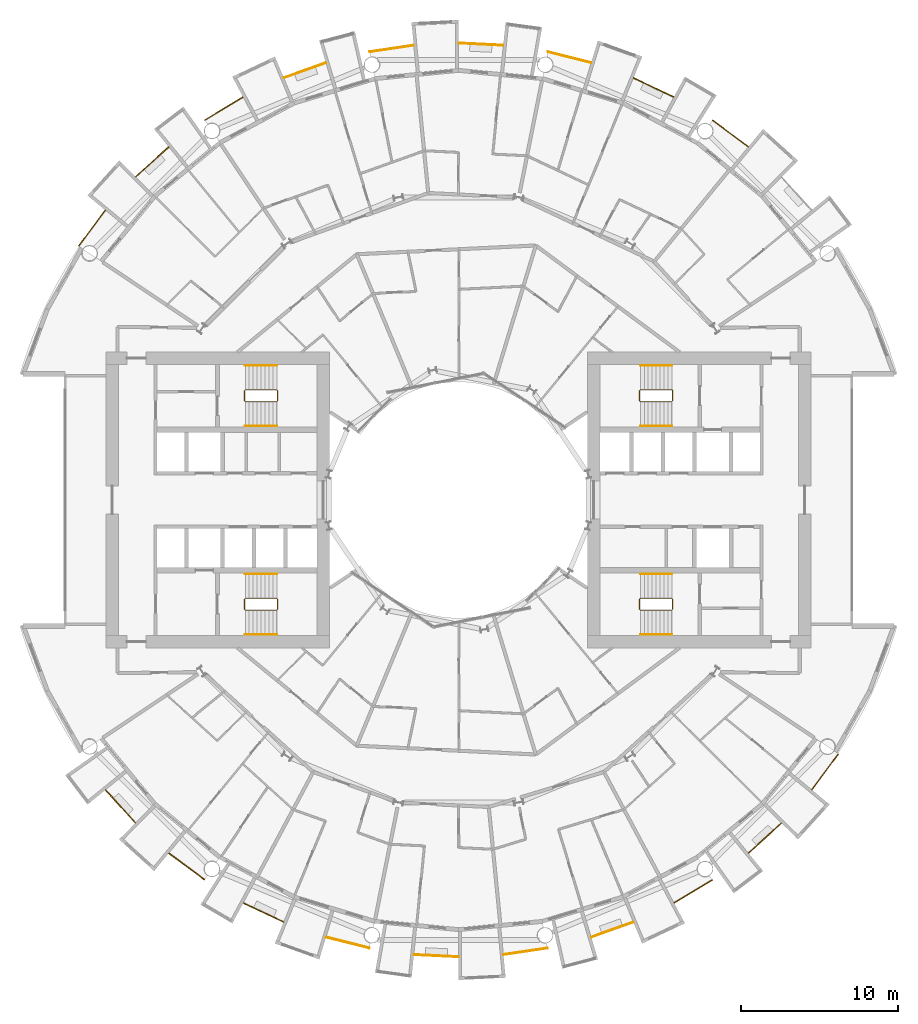
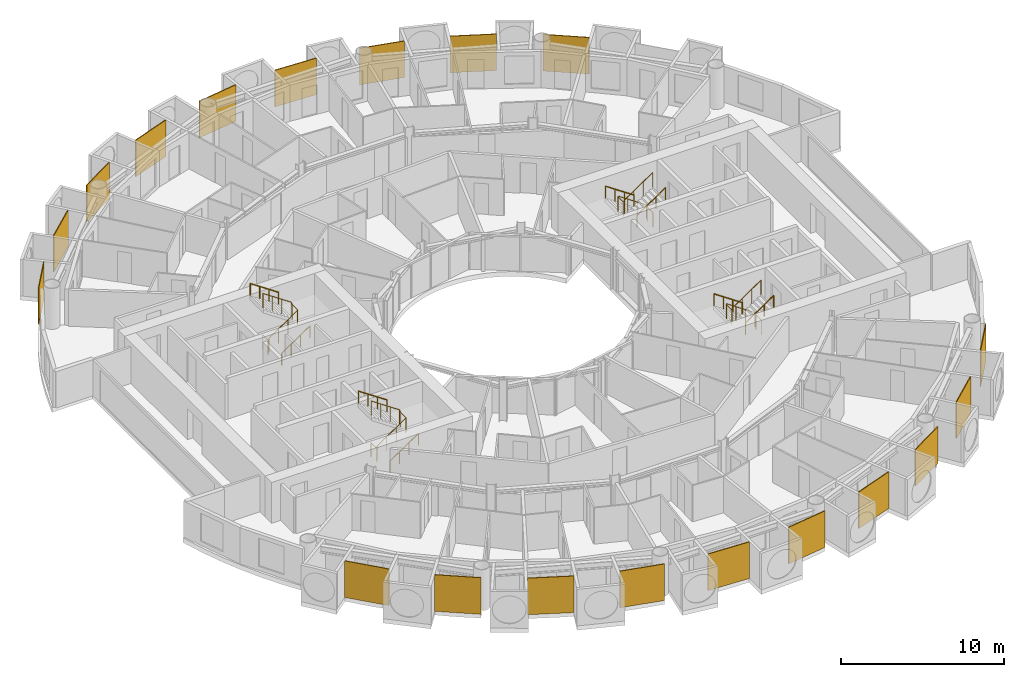
# One storey, part 25 of 26: 31 railings.
"""IFC4 building model written with IfcOpenShell, lengths in metres."""

from ifc_helpers import new_model, si_unit, direction, frame, origin, origin_2d, place, context, subcontext, project, spatial, polyline, circle, outline, extrude, material, layer, layer_set, type_object, element, save


model = new_model("IFC4")

# Units and contexts
model_context = context("Model", 3, precision=1e-05, world=origin(), true_north=direction((0.0, 1.0)))
body_context = subcontext(model_context, "Body", "Model", "MODEL_VIEW")
ifc_project = project(units=[si_unit("LENGTHUNIT", "METRE"), si_unit("AREAUNIT", "SQUARE_METRE"), si_unit("VOLUMEUNIT", "CUBIC_METRE"), si_unit("PLANEANGLEUNIT", "RADIAN"), si_unit("MASSUNIT", "GRAM", prefix="KILO")], contexts=[model_context])

# Site, building, storey
site_placement = place(None, origin())
site = spatial("IfcSite", under=ifc_project, at=site_placement, CompositionType="ELEMENT")
building_placement = place(site_placement, origin())
building = spatial("IfcBuilding", under=site, at=building_placement, Name="Maasbend Ring Residences", CompositionType="ELEMENT")
storey_placement = place(building_placement, frame((0.0, 0.0, 44.14990234375)))
storey = spatial("IfcBuildingStorey", under=building, at=storey_placement, Name="L12", CompositionType="ELEMENT", Elevation=44.14990234375)

# Railings
ifc_material_1 = material(Name="Pale anodised perforated aluminium", Category="aluminium")
ifc_layer = layer(ifc_material_1, 0.06005859375)
ifc_layer_set = layer_set([ifc_layer], Name="SCREEN-P")
railing_type_1 = type_object("IfcRailingType", Name="SCREEN-P", PredefinedType="GUARDRAIL", material=ifc_layer_set)
railing_1_placement = place(storey_placement, frame((0.0, 0.0, -0.02978515625)))
element("IfcRailing", 1, at=railing_1_placement, inside=storey, type_object=railing_type_1, Name="Perforated screen guard 2", PredefinedType="GUARDRAIL", context=body_context, shape_type="SweptSolid", body=[
    extrude(outline(polyline([(18.39697265625, 22.4169921875), (16.112060546875, 24.113037109375), (16.14697265625, 24.160888671875), (18.43310546875, 22.465087890625), (18.39697265625, 22.4169921875)])), origin(), (0.0, 0.0, 1.0), 2.72998046875),
])
railing_2_placement = place(storey_placement, frame((0.0, 0.0, -0.02978515625)))
element("IfcRailing", 2, at=railing_2_placement, inside=storey, type_object=railing_type_1, Name="Perforated screen guard 3", PredefinedType="GUARDRAIL", context=body_context, shape_type="SweptSolid", body=[
    extrude(outline(polyline([(13.6708984375, 25.575927734375), (11.097900390625, 26.79296875), (11.123046875, 26.846923828125), (13.696044921875, 25.6298828125), (13.6708984375, 25.575927734375)])), origin(), (0.0, 0.0, 1.0), 2.72998046875),
])
railing_3_placement = place(storey_placement, frame((0.0, 0.0, -0.02978515625)))
element("IfcRailing", 3, at=railing_3_placement, inside=storey, type_object=railing_type_1, Name="Perforated screen guard 4", PredefinedType="GUARDRAIL", context=body_context, shape_type="SweptSolid", body=[
    extrude(outline(polyline([(8.41796875, 27.7509765625), (5.657958984375, 28.443115234375), (5.672119140625, 28.5009765625), (8.43310546875, 27.80908203125), (8.41796875, 27.7509765625)])), origin(), (0.0, 0.0, 1.0), 2.72998046875),
])
railing_4_placement = place(storey_placement, frame((0.0, 0.0, -0.02978515625)))
element("IfcRailing", 4, at=railing_4_placement, inside=storey, type_object=railing_type_1, Name="Perforated screen guard 5", PredefinedType="GUARDRAIL", context=body_context, shape_type="SweptSolid", body=[
    extrude(outline(polyline([(2.842041015625, 28.860107421875), (0.0, 29.0), (0.0029296875, 29.06005859375), (2.844970703125, 28.919921875), (2.842041015625, 28.860107421875)])), origin(), (0.0, 0.0, 1.0), 2.72998046875),
])
railing_5_placement = place(storey_placement, frame((0.0, 0.0, -0.02978515625)))
element("IfcRailing", 5, at=railing_5_placement, inside=storey, type_object=railing_type_1, Name="Perforated screen guard 6", PredefinedType="GUARDRAIL", context=body_context, shape_type="SweptSolid", body=[
    extrude(outline(polyline([(-2.842041015625, 28.860107421875), (-5.657958984375, 28.443115234375), (-5.666015625, 28.501953125), (-2.85107421875, 28.919921875), (-2.842041015625, 28.860107421875)])), origin(), (0.0, 0.0, 1.0), 2.72998046875),
])
railing_6_placement = place(storey_placement, frame((0.0, 0.0, -0.02978515625)))
element("IfcRailing", 6, at=railing_6_placement, inside=storey, type_object=railing_type_1, Name="Perforated screen guard 7", PredefinedType="GUARDRAIL", context=body_context, shape_type="SweptSolid", body=[
    extrude(outline(polyline([(-8.41796875, 27.7509765625), (-11.097900390625, 26.79296875), (-11.117919921875, 26.84912109375), (-8.43798828125, 27.80810546875), (-8.41796875, 27.7509765625)])), origin(), (0.0, 0.0, 1.0), 2.72998046875),
])
railing_7_placement = place(storey_placement, frame((0.0, 0.0, -0.02978515625)))
element("IfcRailing", 7, at=railing_7_placement, inside=storey, type_object=railing_type_1, Name="Perforated screen guard 8", PredefinedType="GUARDRAIL", context=body_context, shape_type="SweptSolid", body=[
    extrude(outline(polyline([(-13.6708984375, 25.575927734375), (-16.112060546875, 24.113037109375), (-16.14208984375, 24.1640625), (-13.700927734375, 25.626953125), (-13.6708984375, 25.575927734375)])), origin(), (0.0, 0.0, 1.0), 2.72998046875),
])
railing_8_placement = place(storey_placement, frame((0.0, 0.0, -0.02978515625)))
element("IfcRailing", 8, at=railing_8_placement, inside=storey, type_object=railing_type_1, Name="Perforated screen guard 9", PredefinedType="GUARDRAIL", context=body_context, shape_type="SweptSolid", body=[
    extrude(outline(polyline([(-18.39697265625, 22.4169921875), (-20.506103515625, 20.506103515625), (-20.5458984375, 20.551025390625), (-18.43798828125, 22.4619140625), (-18.39697265625, 22.4169921875)])), origin(), (0.0, 0.0, 1.0), 2.72998046875),
])
railing_9_placement = place(storey_placement, frame((0.0, 0.0, -0.02978515625)))
element("IfcRailing", 9, at=railing_9_placement, inside=storey, type_object=railing_type_1, Name="Perforated screen guard 10", PredefinedType="GUARDRAIL", context=body_context, shape_type="SweptSolid", body=[
    extrude(outline(polyline([(-22.4169921875, 18.39697265625), (-24.113037109375, 16.112060546875), (-24.160888671875, 16.14697265625), (-22.465087890625, 18.43310546875), (-22.4169921875, 18.39697265625)])), origin(), (0.0, 0.0, 1.0), 2.72998046875),
])
railing_10_placement = place(storey_placement, frame((0.0, 0.0, -0.02978515625)))
element("IfcRailing", 10, at=railing_10_placement, inside=storey, type_object=railing_type_1, Name="Perforated screen guard 1", PredefinedType="GUARDRAIL", context=body_context, shape_type="SweptSolid", body=[
    extrude(outline(polyline([(-22.4169921875, -18.39697265625), (-20.506103515625, -20.506103515625), (-20.551025390625, -20.5458984375), (-22.4619140625, -18.43798828125), (-22.4169921875, -18.39697265625)])), origin(), (0.0, 0.0, 1.0), 2.72998046875),
])
railing_11_placement = place(storey_placement, frame((0.0, 0.0, -0.02978515625)))
element("IfcRailing", 11, at=railing_11_placement, inside=storey, type_object=railing_type_1, Name="Perforated screen guard 2", PredefinedType="GUARDRAIL", context=body_context, shape_type="SweptSolid", body=[
    extrude(outline(polyline([(-18.39697265625, -22.4169921875), (-16.112060546875, -24.113037109375), (-16.14697265625, -24.160888671875), (-18.43310546875, -22.465087890625), (-18.39697265625, -22.4169921875)])), origin(), (0.0, 0.0, 1.0), 2.72998046875),
])
railing_12_placement = place(storey_placement, frame((0.0, 0.0, -0.02978515625)))
element("IfcRailing", 12, at=railing_12_placement, inside=storey, type_object=railing_type_1, Name="Perforated screen guard 3", PredefinedType="GUARDRAIL", context=body_context, shape_type="SweptSolid", body=[
    extrude(outline(polyline([(-13.6708984375, -25.575927734375), (-11.097900390625, -26.79296875), (-11.123046875, -26.846923828125), (-13.696044921875, -25.6298828125), (-13.6708984375, -25.575927734375)])), origin(), (0.0, 0.0, 1.0), 2.72998046875),
])
railing_13_placement = place(storey_placement, frame((0.0, 0.0, -0.02978515625)))
element("IfcRailing", 13, at=railing_13_placement, inside=storey, type_object=railing_type_1, Name="Perforated screen guard 4", PredefinedType="GUARDRAIL", context=body_context, shape_type="SweptSolid", body=[
    extrude(outline(polyline([(-8.41796875, -27.7509765625), (-5.657958984375, -28.443115234375), (-5.672119140625, -28.5009765625), (-8.43310546875, -27.80908203125), (-8.41796875, -27.7509765625)])), origin(), (0.0, 0.0, 1.0), 2.72998046875),
])
railing_14_placement = place(storey_placement, frame((0.0, 0.0, -0.02978515625)))
element("IfcRailing", 14, at=railing_14_placement, inside=storey, type_object=railing_type_1, Name="Perforated screen guard 5", PredefinedType="GUARDRAIL", context=body_context, shape_type="SweptSolid", body=[
    extrude(outline(polyline([(-2.842041015625, -28.860107421875), (0.0, -29.0), (-0.0029296875, -29.06005859375), (-2.844970703125, -28.919921875), (-2.842041015625, -28.860107421875)])), origin(), (0.0, 0.0, 1.0), 2.72998046875),
])
railing_15_placement = place(storey_placement, frame((0.0, 0.0, -0.02978515625)))
element("IfcRailing", 15, at=railing_15_placement, inside=storey, type_object=railing_type_1, Name="Perforated screen guard 6", PredefinedType="GUARDRAIL", context=body_context, shape_type="SweptSolid", body=[
    extrude(outline(polyline([(2.842041015625, -28.860107421875), (5.657958984375, -28.443115234375), (5.666015625, -28.501953125), (2.85107421875, -28.919921875), (2.842041015625, -28.860107421875)])), origin(), (0.0, 0.0, 1.0), 2.72998046875),
])
railing_16_placement = place(storey_placement, frame((0.0, 0.0, -0.02978515625)))
element("IfcRailing", 16, at=railing_16_placement, inside=storey, type_object=railing_type_1, Name="Perforated screen guard 7", PredefinedType="GUARDRAIL", context=body_context, shape_type="SweptSolid", body=[
    extrude(outline(polyline([(8.41796875, -27.7509765625), (11.097900390625, -26.79296875), (11.117919921875, -26.84912109375), (8.43798828125, -27.80810546875), (8.41796875, -27.7509765625)])), origin(), (0.0, 0.0, 1.0), 2.72998046875),
])
railing_17_placement = place(storey_placement, frame((0.0, 0.0, -0.02978515625)))
element("IfcRailing", 17, at=railing_17_placement, inside=storey, type_object=railing_type_1, Name="Perforated screen guard 8", PredefinedType="GUARDRAIL", context=body_context, shape_type="SweptSolid", body=[
    extrude(outline(polyline([(13.6708984375, -25.575927734375), (16.112060546875, -24.113037109375), (16.14208984375, -24.1640625), (13.700927734375, -25.626953125), (13.6708984375, -25.575927734375)])), origin(), (0.0, 0.0, 1.0), 2.72998046875),
])
railing_18_placement = place(storey_placement, frame((0.0, 0.0, -0.02978515625)))
element("IfcRailing", 18, at=railing_18_placement, inside=storey, type_object=railing_type_1, Name="Perforated screen guard 9", PredefinedType="GUARDRAIL", context=body_context, shape_type="SweptSolid", body=[
    extrude(outline(polyline([(18.39697265625, -22.4169921875), (20.506103515625, -20.506103515625), (20.5458984375, -20.551025390625), (18.43798828125, -22.4619140625), (18.39697265625, -22.4169921875)])), origin(), (0.0, 0.0, 1.0), 2.72998046875),
])
railing_19_placement = place(storey_placement, frame((0.0, 0.0, -0.02978515625)))
element("IfcRailing", 19, at=railing_19_placement, inside=storey, type_object=railing_type_1, Name="Perforated screen guard 10", PredefinedType="GUARDRAIL", context=body_context, shape_type="SweptSolid", body=[
    extrude(outline(polyline([(22.4169921875, -18.39697265625), (24.113037109375, -16.112060546875), (24.160888671875, -16.14697265625), (22.465087890625, -18.43310546875), (22.4169921875, -18.39697265625)])), origin(), (0.0, 0.0, 1.0), 2.72998046875),
])
ifc_material_2 = material(Name="Stainless steel 316", Category="steel")
railing_type_2 = type_object("IfcRailingType", Name="STAIR GUARD 1100", PredefinedType="GUARDRAIL", material=ifc_material_2)
railing_20_placement = place(storey_placement, frame((13.60009765625, 6.300048828125, 0.0)))
element("IfcRailing", 20, at=railing_20_placement, inside=storey, type_object=railing_type_2, Name="L12 ST-E1 stair guard 1", PredefinedType="GUARDRAIL", context=body_context, shape_type="SweptSolid", body=[
    extrude(circle(Radius=0.02392578125, at=origin_2d()), frame((0.0, 0.0, 1.076171875), z_axis=(0.0, 1.0, 0.0), x_axis=(-1.0, 0.0, 0.0)), (0.0, 0.0, 1.0), 0.64990234375),
    extrude(circle(Radius=0.02392578125, at=origin_2d()), frame((0.0, 0.64990234375, 1.076171875), z_axis=(-0.272562526181, 0.272562526181, 0.92272386912), x_axis=(-0.707106781187, -0.707106781187, 0.0)), (0.0, 0.0, 1.0), 0.18359375),
    extrude(circle(Radius=0.02392578125, at=origin_2d()), frame((-0.050048828125, 0.699951171875, 1.24560546875), z_axis=(-0.827750655447, 0.0, 0.561096116906), x_axis=(0.0, -1.0, 0.0)), (0.0, 0.0, 1.0), 2.416259765625),
    extrude(circle(Radius=0.02392578125, at=origin_2d()), frame((-2.050048828125, 0.699951171875, 2.60107421875), z_axis=(-0.707106781187, -0.707106781187, 0.0), x_axis=(0.707106781187, -0.707106781187, 0.0)), (0.0, 0.0, 1.0), 0.07080078125),
    extrude(circle(Radius=0.02392578125, at=origin_2d()), frame((-2.10009765625, 0.64990234375, 2.60107421875), z_axis=(0.0, -1.0, 0.0), x_axis=(1.0, 0.0, 0.0)), (0.0, 0.0, 1.0), 0.64990234375),
    extrude(circle(Radius=0.02392578125, at=origin_2d()), frame((-2.10009765625, 0.0, 2.60107421875), z_axis=(0.272562526181, -0.272562526181, 0.92272386912), x_axis=(0.707106781187, 0.707106781187, 0.0)), (0.0, 0.0, 1.0), 0.18359375),
    extrude(circle(Radius=0.02392578125, at=origin_2d()), frame((-2.050048828125, -0.050048828125, 2.7705078125), z_axis=(0.827797584762, 0.0, 0.561026878735), x_axis=(0.0, 1.0, 0.0)), (0.0, 0.0, 1.0), 2.416015625),
    extrude(circle(Radius=0.02099609375, at=origin_2d()), origin(), (0.0, 0.0, 1.0), 1.052001953125),
    extrude(circle(Radius=0.02099609375, at=origin_2d()), frame((0.0, 0.64990234375, 0.0)), (0.0, 0.0, 1.0), 1.052001953125),
    extrude(circle(Radius=0.02099609375, at=origin_2d()), frame((-0.050048828125, 0.699951171875, 0.16943359375)), (0.0, 0.0, 1.0), 1.052001953125),
    extrude(circle(Radius=0.02099609375, at=origin_2d()), frame((-0.716796875, 0.699951171875, 0.621337890625)), (0.0, 0.0, 1.0), 1.052001953125),
    extrude(circle(Radius=0.02099609375, at=origin_2d()), frame((-1.38330078125, 0.699951171875, 1.0732421875)), (0.0, 0.0, 1.0), 1.052001953125),
    extrude(circle(Radius=0.02099609375, at=origin_2d()), frame((-2.050048828125, 0.699951171875, 1.525146484375)), (0.0, 0.0, 1.0), 1.052001953125),
    extrude(circle(Radius=0.02099609375, at=origin_2d()), frame((-2.10009765625, 0.64990234375, 1.525146484375)), (0.0, 0.0, 1.0), 1.052001953125),
    extrude(circle(Radius=0.02099609375, at=origin_2d()), frame((-2.10009765625, 0.0, 1.525146484375)), (0.0, 0.0, 1.0), 1.052001953125),
    extrude(circle(Radius=0.02099609375, at=origin_2d()), frame((-2.050048828125, -0.050048828125, 1.694580078125)), (0.0, 0.0, 1.0), 1.052001953125),
    extrude(circle(Radius=0.02099609375, at=origin_2d()), frame((-1.38330078125, -0.050048828125, 2.146484375)), (0.0, 0.0, 1.0), 1.052001953125),
    extrude(circle(Radius=0.02099609375, at=origin_2d()), frame((-0.716796875, -0.050048828125, 2.59814453125)), (0.0, 0.0, 1.0), 1.052001953125),
    extrude(circle(Radius=0.02099609375, at=origin_2d()), frame((-0.050048828125, -0.050048828125, 3.050048828125)), (0.0, 0.0, 1.0), 1.052001953125),
])
railing_21_placement = place(storey_placement, frame((13.60009765625, -6.949951171875, 0.0)))
element("IfcRailing", 21, at=railing_21_placement, inside=storey, type_object=railing_type_2, Name="L12 ST-E2 stair guard 1", PredefinedType="GUARDRAIL", context=body_context, shape_type="SweptSolid", body=[
    extrude(circle(Radius=0.02392578125, at=origin_2d()), frame((0.0, 0.0, 1.076171875), z_axis=(0.0, 1.0, 0.0), x_axis=(-1.0, 0.0, 0.0)), (0.0, 0.0, 1.0), 0.64990234375),
    extrude(circle(Radius=0.02392578125, at=origin_2d()), frame((0.0, 0.64990234375, 1.076171875), z_axis=(-0.272562526181, 0.272562526181, 0.92272386912), x_axis=(-0.707106781187, -0.707106781187, 0.0)), (0.0, 0.0, 1.0), 0.18359375),
    extrude(circle(Radius=0.02392578125, at=origin_2d()), frame((-0.050048828125, 0.699951171875, 1.24560546875), z_axis=(-0.827750655447, 0.0, 0.561096116906), x_axis=(0.0, -1.0, 0.0)), (0.0, 0.0, 1.0), 2.416259765625),
    extrude(circle(Radius=0.02392578125, at=origin_2d()), frame((-2.050048828125, 0.699951171875, 2.60107421875), z_axis=(-0.707106781187, -0.707106781187, 0.0), x_axis=(0.707106781187, -0.707106781187, 0.0)), (0.0, 0.0, 1.0), 0.07080078125),
    extrude(circle(Radius=0.02392578125, at=origin_2d()), frame((-2.10009765625, 0.64990234375, 2.60107421875), z_axis=(0.0, -1.0, 0.0), x_axis=(1.0, 0.0, 0.0)), (0.0, 0.0, 1.0), 0.64990234375),
    extrude(circle(Radius=0.02392578125, at=origin_2d()), frame((-2.10009765625, 0.0, 2.60107421875), z_axis=(0.272562526181, -0.272562526181, 0.92272386912), x_axis=(0.707106781187, 0.707106781187, 0.0)), (0.0, 0.0, 1.0), 0.18359375),
    extrude(circle(Radius=0.02392578125, at=origin_2d()), frame((-2.050048828125, -0.050048828125, 2.7705078125), z_axis=(0.827797584762, 0.0, 0.561026878735), x_axis=(0.0, 1.0, 0.0)), (0.0, 0.0, 1.0), 2.416015625),
    extrude(circle(Radius=0.02099609375, at=origin_2d()), origin(), (0.0, 0.0, 1.0), 1.052001953125),
    extrude(circle(Radius=0.02099609375, at=origin_2d()), frame((0.0, 0.64990234375, 0.0)), (0.0, 0.0, 1.0), 1.052001953125),
    extrude(circle(Radius=0.02099609375, at=origin_2d()), frame((-0.050048828125, 0.699951171875, 0.16943359375)), (0.0, 0.0, 1.0), 1.052001953125),
    extrude(circle(Radius=0.02099609375, at=origin_2d()), frame((-0.716796875, 0.699951171875, 0.621337890625)), (0.0, 0.0, 1.0), 1.052001953125),
    extrude(circle(Radius=0.02099609375, at=origin_2d()), frame((-1.38330078125, 0.699951171875, 1.0732421875)), (0.0, 0.0, 1.0), 1.052001953125),
    extrude(circle(Radius=0.02099609375, at=origin_2d()), frame((-2.050048828125, 0.699951171875, 1.525146484375)), (0.0, 0.0, 1.0), 1.052001953125),
    extrude(circle(Radius=0.02099609375, at=origin_2d()), frame((-2.10009765625, 0.64990234375, 1.525146484375)), (0.0, 0.0, 1.0), 1.052001953125),
    extrude(circle(Radius=0.02099609375, at=origin_2d()), frame((-2.10009765625, 0.0, 1.525146484375)), (0.0, 0.0, 1.0), 1.052001953125),
    extrude(circle(Radius=0.02099609375, at=origin_2d()), frame((-2.050048828125, -0.050048828125, 1.694580078125)), (0.0, 0.0, 1.0), 1.052001953125),
    extrude(circle(Radius=0.02099609375, at=origin_2d()), frame((-1.38330078125, -0.050048828125, 2.146484375)), (0.0, 0.0, 1.0), 1.052001953125),
    extrude(circle(Radius=0.02099609375, at=origin_2d()), frame((-0.716796875, -0.050048828125, 2.59814453125)), (0.0, 0.0, 1.0), 1.052001953125),
    extrude(circle(Radius=0.02099609375, at=origin_2d()), frame((-0.050048828125, -0.050048828125, 3.050048828125)), (0.0, 0.0, 1.0), 1.052001953125),
])
railing_22_placement = place(storey_placement, frame((-13.60009765625, -6.300048828125, 0.0)))
element("IfcRailing", 22, at=railing_22_placement, inside=storey, type_object=railing_type_2, Name="L12 ST-W1 stair guard 1", PredefinedType="GUARDRAIL", context=body_context, shape_type="SweptSolid", body=[
    extrude(circle(Radius=0.02392578125, at=origin_2d()), frame((0.0, 0.0, 1.076171875), z_axis=(0.0, -1.0, 0.0), x_axis=(1.0, 0.0, 0.0)), (0.0, 0.0, 1.0), 0.64990234375),
    extrude(circle(Radius=0.02392578125, at=origin_2d()), frame((0.0, -0.64990234375, 1.076171875), z_axis=(0.272562526181, -0.272562526181, 0.92272386912), x_axis=(0.707106781187, 0.707106781187, 0.0)), (0.0, 0.0, 1.0), 0.18359375),
    extrude(circle(Radius=0.02392578125, at=origin_2d()), frame((0.050048828125, -0.699951171875, 1.24560546875), z_axis=(0.827750655447, 0.0, 0.561096116906), x_axis=(0.0, 1.0, 0.0)), (0.0, 0.0, 1.0), 2.416259765625),
    extrude(circle(Radius=0.02392578125, at=origin_2d()), frame((2.050048828125, -0.699951171875, 2.60107421875), z_axis=(0.707106781187, 0.707106781187, 0.0), x_axis=(-0.707106781187, 0.707106781187, 0.0)), (0.0, 0.0, 1.0), 0.07080078125),
    extrude(circle(Radius=0.02392578125, at=origin_2d()), frame((2.10009765625, -0.64990234375, 2.60107421875), z_axis=(0.0, 1.0, 0.0), x_axis=(-1.0, 0.0, 0.0)), (0.0, 0.0, 1.0), 0.64990234375),
    extrude(circle(Radius=0.02392578125, at=origin_2d()), frame((2.10009765625, 0.0, 2.60107421875), z_axis=(-0.272562526181, 0.272562526181, 0.92272386912), x_axis=(-0.707106781187, -0.707106781187, 0.0)), (0.0, 0.0, 1.0), 0.18359375),
    extrude(circle(Radius=0.02392578125, at=origin_2d()), frame((2.050048828125, 0.050048828125, 2.7705078125), z_axis=(-0.827797584762, 0.0, 0.561026878735), x_axis=(0.0, -1.0, 0.0)), (0.0, 0.0, 1.0), 2.416015625),
    extrude(circle(Radius=0.02099609375, at=origin_2d()), origin(), (0.0, 0.0, 1.0), 1.052001953125),
    extrude(circle(Radius=0.02099609375, at=origin_2d()), frame((0.0, -0.64990234375, 0.0)), (0.0, 0.0, 1.0), 1.052001953125),
    extrude(circle(Radius=0.02099609375, at=origin_2d()), frame((0.050048828125, -0.699951171875, 0.16943359375)), (0.0, 0.0, 1.0), 1.052001953125),
    extrude(circle(Radius=0.02099609375, at=origin_2d()), frame((0.716796875, -0.699951171875, 0.621337890625)), (0.0, 0.0, 1.0), 1.052001953125),
    extrude(circle(Radius=0.02099609375, at=origin_2d()), frame((1.38330078125, -0.699951171875, 1.0732421875)), (0.0, 0.0, 1.0), 1.052001953125),
    extrude(circle(Radius=0.02099609375, at=origin_2d()), frame((2.050048828125, -0.699951171875, 1.525146484375)), (0.0, 0.0, 1.0), 1.052001953125),
    extrude(circle(Radius=0.02099609375, at=origin_2d()), frame((2.10009765625, -0.64990234375, 1.525146484375)), (0.0, 0.0, 1.0), 1.052001953125),
    extrude(circle(Radius=0.02099609375, at=origin_2d()), frame((2.10009765625, 0.0, 1.525146484375)), (0.0, 0.0, 1.0), 1.052001953125),
    extrude(circle(Radius=0.02099609375, at=origin_2d()), frame((2.050048828125, 0.050048828125, 1.694580078125)), (0.0, 0.0, 1.0), 1.052001953125),
    extrude(circle(Radius=0.02099609375, at=origin_2d()), frame((1.38330078125, 0.050048828125, 2.146484375)), (0.0, 0.0, 1.0), 1.052001953125),
    extrude(circle(Radius=0.02099609375, at=origin_2d()), frame((0.716796875, 0.050048828125, 2.59814453125)), (0.0, 0.0, 1.0), 1.052001953125),
    extrude(circle(Radius=0.02099609375, at=origin_2d()), frame((0.050048828125, 0.050048828125, 3.050048828125)), (0.0, 0.0, 1.0), 1.052001953125),
])
railing_23_placement = place(storey_placement, frame((-13.60009765625, 6.949951171875, 0.0)))
element("IfcRailing", 23, at=railing_23_placement, inside=storey, type_object=railing_type_2, Name="L12 ST-W2 stair guard 1", PredefinedType="GUARDRAIL", context=body_context, shape_type="SweptSolid", body=[
    extrude(circle(Radius=0.02392578125, at=origin_2d()), frame((0.0, 0.0, 1.076171875), z_axis=(0.0, -1.0, 0.0), x_axis=(1.0, 0.0, 0.0)), (0.0, 0.0, 1.0), 0.64990234375),
    extrude(circle(Radius=0.02392578125, at=origin_2d()), frame((0.0, -0.64990234375, 1.076171875), z_axis=(0.272562526181, -0.272562526181, 0.92272386912), x_axis=(0.707106781187, 0.707106781187, 0.0)), (0.0, 0.0, 1.0), 0.18359375),
    extrude(circle(Radius=0.02392578125, at=origin_2d()), frame((0.050048828125, -0.699951171875, 1.24560546875), z_axis=(0.827750655447, 0.0, 0.561096116906), x_axis=(0.0, 1.0, 0.0)), (0.0, 0.0, 1.0), 2.416259765625),
    extrude(circle(Radius=0.02392578125, at=origin_2d()), frame((2.050048828125, -0.699951171875, 2.60107421875), z_axis=(0.707106781187, 0.707106781187, 0.0), x_axis=(-0.707106781187, 0.707106781187, 0.0)), (0.0, 0.0, 1.0), 0.07080078125),
    extrude(circle(Radius=0.02392578125, at=origin_2d()), frame((2.10009765625, -0.64990234375, 2.60107421875), z_axis=(0.0, 1.0, 0.0), x_axis=(-1.0, 0.0, 0.0)), (0.0, 0.0, 1.0), 0.64990234375),
    extrude(circle(Radius=0.02392578125, at=origin_2d()), frame((2.10009765625, 0.0, 2.60107421875), z_axis=(-0.272562526181, 0.272562526181, 0.92272386912), x_axis=(-0.707106781187, -0.707106781187, 0.0)), (0.0, 0.0, 1.0), 0.18359375),
    extrude(circle(Radius=0.02392578125, at=origin_2d()), frame((2.050048828125, 0.050048828125, 2.7705078125), z_axis=(-0.827797584762, 0.0, 0.561026878735), x_axis=(0.0, -1.0, 0.0)), (0.0, 0.0, 1.0), 2.416015625),
    extrude(circle(Radius=0.02099609375, at=origin_2d()), origin(), (0.0, 0.0, 1.0), 1.052001953125),
    extrude(circle(Radius=0.02099609375, at=origin_2d()), frame((0.0, -0.64990234375, 0.0)), (0.0, 0.0, 1.0), 1.052001953125),
    extrude(circle(Radius=0.02099609375, at=origin_2d()), frame((0.050048828125, -0.699951171875, 0.16943359375)), (0.0, 0.0, 1.0), 1.052001953125),
    extrude(circle(Radius=0.02099609375, at=origin_2d()), frame((0.716796875, -0.699951171875, 0.621337890625)), (0.0, 0.0, 1.0), 1.052001953125),
    extrude(circle(Radius=0.02099609375, at=origin_2d()), frame((1.38330078125, -0.699951171875, 1.0732421875)), (0.0, 0.0, 1.0), 1.052001953125),
    extrude(circle(Radius=0.02099609375, at=origin_2d()), frame((2.050048828125, -0.699951171875, 1.525146484375)), (0.0, 0.0, 1.0), 1.052001953125),
    extrude(circle(Radius=0.02099609375, at=origin_2d()), frame((2.10009765625, -0.64990234375, 1.525146484375)), (0.0, 0.0, 1.0), 1.052001953125),
    extrude(circle(Radius=0.02099609375, at=origin_2d()), frame((2.10009765625, 0.0, 1.525146484375)), (0.0, 0.0, 1.0), 1.052001953125),
    extrude(circle(Radius=0.02099609375, at=origin_2d()), frame((2.050048828125, 0.050048828125, 1.694580078125)), (0.0, 0.0, 1.0), 1.052001953125),
    extrude(circle(Radius=0.02099609375, at=origin_2d()), frame((1.38330078125, 0.050048828125, 2.146484375)), (0.0, 0.0, 1.0), 1.052001953125),
    extrude(circle(Radius=0.02099609375, at=origin_2d()), frame((0.716796875, 0.050048828125, 2.59814453125)), (0.0, 0.0, 1.0), 1.052001953125),
    extrude(circle(Radius=0.02099609375, at=origin_2d()), frame((0.050048828125, 0.050048828125, 3.050048828125)), (0.0, 0.0, 1.0), 1.052001953125),
])
ifc_material_3 = material(Name="Stainless steel 316", Category="steel")
railing_type_3 = type_object("IfcRailingType", Name="STAIR HANDRAIL 900", PredefinedType="HANDRAIL", material=ifc_material_3)
railing_24_placement = place(storey_placement, frame((13.550048828125, 8.550048828125, 0.16943359375)))
element("IfcRailing", 24, at=railing_24_placement, inside=storey, type_object=railing_type_3, Name="L12 ST-E1 stair handrail 1", PredefinedType="HANDRAIL", context=body_context, shape_type="SweptSolid", body=[
    extrude(circle(Radius=0.02392578125, at=origin_2d()), frame((0.0, 0.0, 0.8759765625), z_axis=(-0.827750655447, 0.0, 0.561096116906), x_axis=(0.0, -1.0, 0.0)), (0.0, 0.0, 1.0), 2.416259765625),
    extrude(circle(Radius=0.02099609375, at=origin_2d()), origin(), (0.0, 0.0, 1.0), 0.851806640625),
    extrude(circle(Radius=0.02099609375, at=origin_2d()), frame((-0.666748046875, 0.0, 0.451904296875)), (0.0, 0.0, 1.0), 0.851806640625),
    extrude(circle(Radius=0.02099609375, at=origin_2d()), frame((-1.333251953125, 0.0, 0.90380859375)), (0.0, 0.0, 1.0), 0.851806640625),
    extrude(circle(Radius=0.02099609375, at=origin_2d()), frame((-2.0, 0.0, 1.355712890625)), (0.0, 0.0, 1.0), 0.851806640625),
])
railing_25_placement = place(storey_placement, frame((11.550048828125, 4.699951171875, 1.694580078125)))
element("IfcRailing", 25, at=railing_25_placement, inside=storey, type_object=railing_type_3, Name="L12 ST-E1 stair handrail 2", PredefinedType="HANDRAIL", context=body_context, shape_type="SweptSolid", body=[
    extrude(circle(Radius=0.02392578125, at=origin_2d()), frame((0.0, 0.0, 0.8759765625), z_axis=(0.827797584762, 0.0, 0.561026878735), x_axis=(0.0, 1.0, 0.0)), (0.0, 0.0, 1.0), 2.416015625),
    extrude(circle(Radius=0.02099609375, at=origin_2d()), origin(), (0.0, 0.0, 1.0), 0.851806640625),
    extrude(circle(Radius=0.02099609375, at=origin_2d()), frame((0.666748046875, 0.0, 0.451904296875)), (0.0, 0.0, 1.0), 0.851806640625),
    extrude(circle(Radius=0.02099609375, at=origin_2d()), frame((1.333251953125, 0.0, 0.903564453125)), (0.0, 0.0, 1.0), 0.851806640625),
    extrude(circle(Radius=0.02099609375, at=origin_2d()), frame((2.0, 0.0, 1.35546875)), (0.0, 0.0, 1.0), 0.851806640625),
])
railing_26_placement = place(storey_placement, frame((13.550048828125, -4.699951171875, 0.16943359375)))
element("IfcRailing", 26, at=railing_26_placement, inside=storey, type_object=railing_type_3, Name="L12 ST-E2 stair handrail 1", PredefinedType="HANDRAIL", context=body_context, shape_type="SweptSolid", body=[
    extrude(circle(Radius=0.02392578125, at=origin_2d()), frame((0.0, 0.0, 0.8759765625), z_axis=(-0.827750655447, 0.0, 0.561096116906), x_axis=(0.0, -1.0, 0.0)), (0.0, 0.0, 1.0), 2.416259765625),
    extrude(circle(Radius=0.02099609375, at=origin_2d()), origin(), (0.0, 0.0, 1.0), 0.851806640625),
    extrude(circle(Radius=0.02099609375, at=origin_2d()), frame((-0.666748046875, 0.0, 0.451904296875)), (0.0, 0.0, 1.0), 0.851806640625),
    extrude(circle(Radius=0.02099609375, at=origin_2d()), frame((-1.333251953125, 0.0, 0.90380859375)), (0.0, 0.0, 1.0), 0.851806640625),
    extrude(circle(Radius=0.02099609375, at=origin_2d()), frame((-2.0, 0.0, 1.355712890625)), (0.0, 0.0, 1.0), 0.851806640625),
])
railing_27_placement = place(storey_placement, frame((11.550048828125, -8.550048828125, 1.694580078125)))
element("IfcRailing", 27, at=railing_27_placement, inside=storey, type_object=railing_type_3, Name="L12 ST-E2 stair handrail 2", PredefinedType="HANDRAIL", context=body_context, shape_type="SweptSolid", body=[
    extrude(circle(Radius=0.02392578125, at=origin_2d()), frame((0.0, 0.0, 0.8759765625), z_axis=(0.827797584762, 0.0, 0.561026878735), x_axis=(0.0, 1.0, 0.0)), (0.0, 0.0, 1.0), 2.416015625),
    extrude(circle(Radius=0.02099609375, at=origin_2d()), origin(), (0.0, 0.0, 1.0), 0.851806640625),
    extrude(circle(Radius=0.02099609375, at=origin_2d()), frame((0.666748046875, 0.0, 0.451904296875)), (0.0, 0.0, 1.0), 0.851806640625),
    extrude(circle(Radius=0.02099609375, at=origin_2d()), frame((1.333251953125, 0.0, 0.903564453125)), (0.0, 0.0, 1.0), 0.851806640625),
    extrude(circle(Radius=0.02099609375, at=origin_2d()), frame((2.0, 0.0, 1.35546875)), (0.0, 0.0, 1.0), 0.851806640625),
])
railing_28_placement = place(storey_placement, frame((-13.550048828125, -8.550048828125, 0.16943359375)))
element("IfcRailing", 28, at=railing_28_placement, inside=storey, type_object=railing_type_3, Name="L12 ST-W1 stair handrail 1", PredefinedType="HANDRAIL", context=body_context, shape_type="SweptSolid", body=[
    extrude(circle(Radius=0.02392578125, at=origin_2d()), frame((0.0, 0.0, 0.8759765625), z_axis=(0.827750655447, 0.0, 0.561096116906), x_axis=(0.0, 1.0, 0.0)), (0.0, 0.0, 1.0), 2.416259765625),
    extrude(circle(Radius=0.02099609375, at=origin_2d()), origin(), (0.0, 0.0, 1.0), 0.851806640625),
    extrude(circle(Radius=0.02099609375, at=origin_2d()), frame((0.666748046875, 0.0, 0.451904296875)), (0.0, 0.0, 1.0), 0.851806640625),
    extrude(circle(Radius=0.02099609375, at=origin_2d()), frame((1.333251953125, 0.0, 0.90380859375)), (0.0, 0.0, 1.0), 0.851806640625),
    extrude(circle(Radius=0.02099609375, at=origin_2d()), frame((2.0, 0.0, 1.355712890625)), (0.0, 0.0, 1.0), 0.851806640625),
])
railing_29_placement = place(storey_placement, frame((-11.550048828125, -4.699951171875, 1.694580078125)))
element("IfcRailing", 29, at=railing_29_placement, inside=storey, type_object=railing_type_3, Name="L12 ST-W1 stair handrail 2", PredefinedType="HANDRAIL", context=body_context, shape_type="SweptSolid", body=[
    extrude(circle(Radius=0.02392578125, at=origin_2d()), frame((0.0, 0.0, 0.8759765625), z_axis=(-0.827797584762, 0.0, 0.561026878735), x_axis=(0.0, -1.0, 0.0)), (0.0, 0.0, 1.0), 2.416015625),
    extrude(circle(Radius=0.02099609375, at=origin_2d()), origin(), (0.0, 0.0, 1.0), 0.851806640625),
    extrude(circle(Radius=0.02099609375, at=origin_2d()), frame((-0.666748046875, 0.0, 0.451904296875)), (0.0, 0.0, 1.0), 0.851806640625),
    extrude(circle(Radius=0.02099609375, at=origin_2d()), frame((-1.333251953125, 0.0, 0.903564453125)), (0.0, 0.0, 1.0), 0.851806640625),
    extrude(circle(Radius=0.02099609375, at=origin_2d()), frame((-2.0, 0.0, 1.35546875)), (0.0, 0.0, 1.0), 0.851806640625),
])
railing_30_placement = place(storey_placement, frame((-13.550048828125, 4.699951171875, 0.16943359375)))
element("IfcRailing", 30, at=railing_30_placement, inside=storey, type_object=railing_type_3, Name="L12 ST-W2 stair handrail 1", PredefinedType="HANDRAIL", context=body_context, shape_type="SweptSolid", body=[
    extrude(circle(Radius=0.02392578125, at=origin_2d()), frame((0.0, 0.0, 0.8759765625), z_axis=(0.827750655447, 0.0, 0.561096116906), x_axis=(0.0, 1.0, 0.0)), (0.0, 0.0, 1.0), 2.416259765625),
    extrude(circle(Radius=0.02099609375, at=origin_2d()), origin(), (0.0, 0.0, 1.0), 0.851806640625),
    extrude(circle(Radius=0.02099609375, at=origin_2d()), frame((0.666748046875, 0.0, 0.451904296875)), (0.0, 0.0, 1.0), 0.851806640625),
    extrude(circle(Radius=0.02099609375, at=origin_2d()), frame((1.333251953125, 0.0, 0.90380859375)), (0.0, 0.0, 1.0), 0.851806640625),
    extrude(circle(Radius=0.02099609375, at=origin_2d()), frame((2.0, 0.0, 1.355712890625)), (0.0, 0.0, 1.0), 0.851806640625),
])
railing_31_placement = place(storey_placement, frame((-11.550048828125, 8.550048828125, 1.694580078125)))
element("IfcRailing", 31, at=railing_31_placement, inside=storey, type_object=railing_type_3, Name="L12 ST-W2 stair handrail 2", PredefinedType="HANDRAIL", context=body_context, shape_type="SweptSolid", body=[
    extrude(circle(Radius=0.02392578125, at=origin_2d()), frame((0.0, 0.0, 0.8759765625), z_axis=(-0.827797584762, 0.0, 0.561026878735), x_axis=(0.0, -1.0, 0.0)), (0.0, 0.0, 1.0), 2.416015625),
    extrude(circle(Radius=0.02099609375, at=origin_2d()), origin(), (0.0, 0.0, 1.0), 0.851806640625),
    extrude(circle(Radius=0.02099609375, at=origin_2d()), frame((-0.666748046875, 0.0, 0.451904296875)), (0.0, 0.0, 1.0), 0.851806640625),
    extrude(circle(Radius=0.02099609375, at=origin_2d()), frame((-1.333251953125, 0.0, 0.903564453125)), (0.0, 0.0, 1.0), 0.851806640625),
    extrude(circle(Radius=0.02099609375, at=origin_2d()), frame((-2.0, 0.0, 1.35546875)), (0.0, 0.0, 1.0), 0.851806640625),
])

save(model, "model.ifc")
